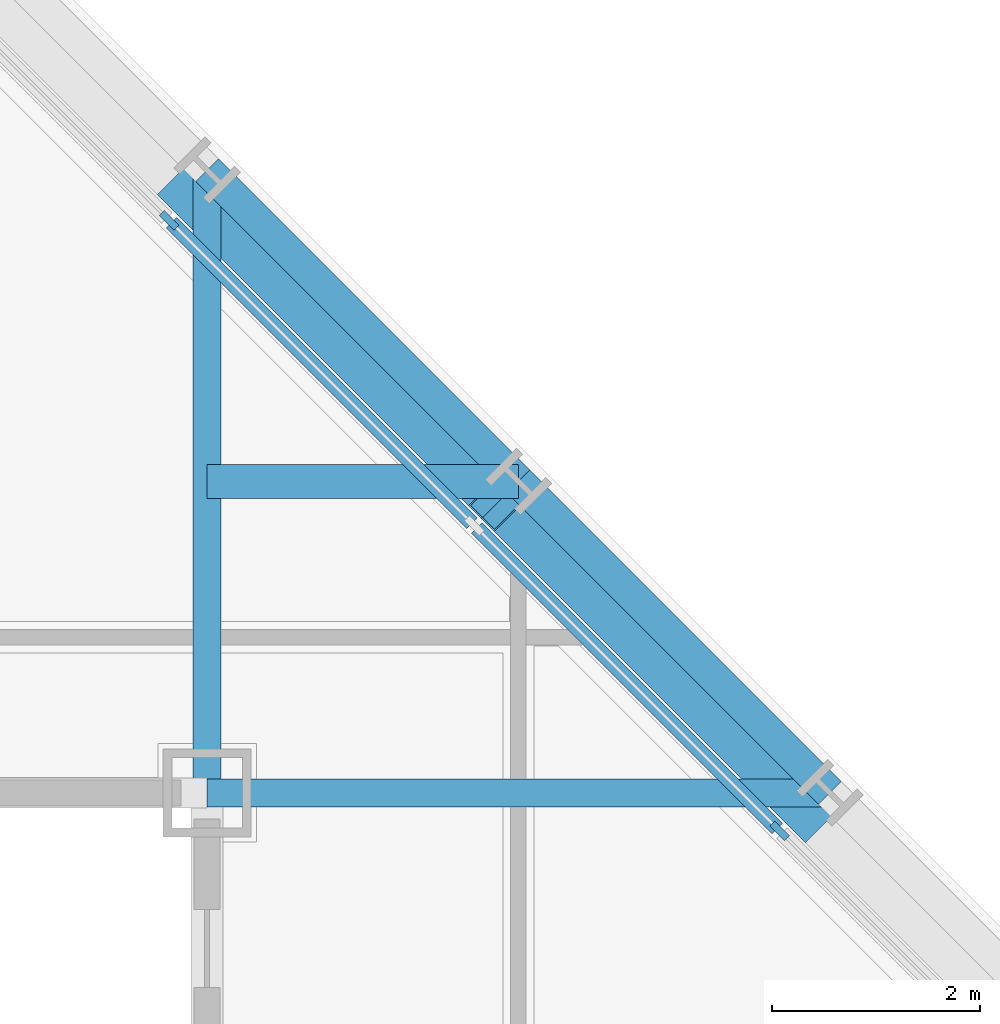
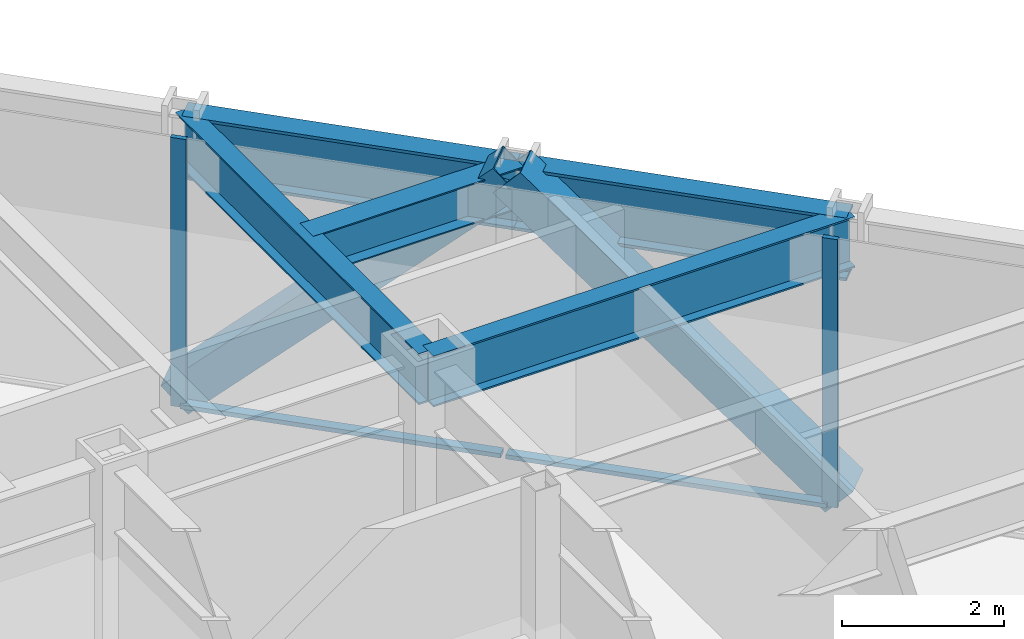
# One storey, part 8 of 16: 6 members, 5 beams, 1 element without a shape of its own.
"""IFC4 building model written with IfcOpenShell, lengths in metres."""

from ifc_helpers import new_model, si_unit, direction, frame, origin, origin_2d, place, context, subcontext, project, spatial, rectangle, hollow_rectangle, i_section, extrude, material, layer, layer_set, material_profile, profile_set, type_object, element, aggregate, save


model = new_model("IFC4")

# Units and contexts
model_context = context("Model", 3, precision=1e-05, world=origin(), true_north=direction((0.0, 1.0)))
body_context = subcontext(model_context, "Body", "Model", "MODEL_VIEW")
ifc_project = project(units=[si_unit("LENGTHUNIT", "METRE"), si_unit("AREAUNIT", "SQUARE_METRE"), si_unit("VOLUMEUNIT", "CUBIC_METRE"), si_unit("PLANEANGLEUNIT", "RADIAN"), si_unit("MASSUNIT", "GRAM", prefix="KILO")], contexts=[model_context])

# Site, building, storey
site_placement = place(None, origin())
site = spatial("IfcSite", under=ifc_project, at=site_placement, CompositionType="ELEMENT")
building_placement = place(site_placement, origin())
building = spatial("IfcBuilding", under=site, at=building_placement, Name="Chuquiago Exchange Tower", CompositionType="ELEMENT")
storey_placement = place(building_placement, frame((0.0, 0.0, 144.60009765625)))
storey = spatial("IfcBuildingStorey", under=building, at=storey_placement, Name="L31", CompositionType="ELEMENT", Elevation=144.60009765625)

# Beam
ifc_material_1 = material(Name="Steel ASTM A992", Category="steel")
ifc_material_profile_1 = material_profile(ifc_material_1, i_section(OverallWidth=0.3251953125, OverallDepth=0.612060546875, WebThickness=0.0126953125, FlangeThickness=0.01904296875, at=origin_2d()), Name="W24X104")
ifc_profile_set_1 = profile_set([ifc_material_profile_1], Name="Steel ASTM A992")
beam_type_1 = type_object("IfcBeamType", Name="B2 W24X104", PredefinedType="BEAM", material=ifc_profile_set_1)
beam_placement = place(storey_placement, frame((33.0, 36.0, 3.73388671875), z_axis=(1.0, 0.0, 0.0), x_axis=(0.0, 1.0, 0.0)))
element("IfcBeam", 1, at=beam_placement, inside=storey, type_object=beam_type_1, Name="FB-L32-corner-33_36-36_36-0", PredefinedType="BEAM", context=body_context, shape_type="SweptSolid", body=[
    extrude(i_section(OverallWidth=0.3251953125, OverallDepth=0.612060546875, WebThickness=0.0126953125, FlangeThickness=0.01904296875, at=origin_2d()), origin(), (0.0, 0.0, 1.0), 3.0),
])

# Curtain wall, members
ifc_material_2 = material(Name="Aluminium curtain wall system", Category="aluminium")
ifc_layer = layer(ifc_material_2, 0.199951171875)
ifc_layer_set = layer_set([ifc_layer], Name="CW3 facet curtain wall")
curtain_wall_type = type_object("IfcCurtainWallType", Name="CW3 facet curtain wall", PredefinedType="NOTDEFINED", material=ifc_layer_set)
curtain_wall_placement = place(storey_placement, origin())
curtain_wall = element("IfcCurtainWall", 2, at=curtain_wall_placement, inside=storey, type_object=curtain_wall_type, Name="CW3 curtain wall L31", PredefinedType="NOTDEFINED")
ifc_material_3 = material(Name="Aluminium mullion, pale anodised", Category="aluminium")
ifc_material_profile_2 = material_profile(ifc_material_3, rectangle(XDim=0.06494140625, YDim=0.199951171875, at=origin_2d()), Name="AL 65x200")
ifc_profile_set_2 = profile_set([ifc_material_profile_2], Name="Aluminium mullion, pale anodised")
member_type_1 = type_object("IfcMemberType", Name="CW3-M mullion 65x200", PredefinedType="MULLION", material=ifc_profile_set_2)
member_1_placement = place(storey_placement, frame((38.51708984375, 32.63427734375, 0.0), z_axis=(0.0, 0.0, 1.0), x_axis=(-0.707106781187, -0.707106781187, 0.0)))
member_1 = element("IfcMember", 3, at=member_1_placement, type_object=member_type_1, Name="CW3 mullion 3", PredefinedType="MULLION", context=body_context, shape_type="SweptSolid", body=[
    extrude(rectangle(XDim=0.06494140625, YDim=0.199951171875, at=origin_2d()), origin(), (0.0, 0.0, 1.0), 4.039794921875),
])
member_2_placement = place(storey_placement, frame((32.63427734375, 38.51708984375, 0.0), z_axis=(0.0, 0.0, 1.0), x_axis=(-0.707106781187, -0.707106781187, 0.0)))
member_2 = element("IfcMember", 4, at=member_2_placement, type_object=member_type_1, Name="CW3 mullion 5", PredefinedType="MULLION", context=body_context, shape_type="SweptSolid", body=[
    extrude(rectangle(XDim=0.06494140625, YDim=0.199951171875, at=origin_2d()), origin(), (0.0, 0.0, 1.0), 4.039794921875),
])
ifc_material_4 = material(Name="Aluminium transom, pale anodised", Category="aluminium")
ifc_material_profile_3 = material_profile(ifc_material_4, rectangle(XDim=0.139892578125, YDim=0.06494140625, at=origin_2d()), Name="AL 140x65")
ifc_profile_set_3 = profile_set([ifc_material_profile_3], Name="Aluminium transom, pale anodised")
member_type_2 = type_object("IfcMemberType", Name="CW3-T transom 65x140", PredefinedType="MULLION", material=ifc_profile_set_3)
member_3_placement = place(storey_placement, frame((38.494140625, 32.6572265625, 0.032470703125), z_axis=(-0.707106781187, 0.707106781187, 0.0), x_axis=(-0.707106781187, -0.707106781187, 0.0)))
member_3 = element("IfcMember", 5, at=member_3_placement, type_object=member_type_2, Name="CW3 transom 3.1", PredefinedType="MULLION", context=body_context, shape_type="SweptSolid", body=[
    extrude(rectangle(XDim=0.139892578125, YDim=0.06494140625, at=origin_2d()), origin(), (0.0, 0.0, 1.0), 4.094970703125),
])
member_4_placement = place(storey_placement, frame((35.552734375, 35.5986328125, 0.032470703125), z_axis=(-0.707106781187, 0.707106781187, 0.0), x_axis=(-0.707106781187, -0.707106781187, 0.0)))
member_4 = element("IfcMember", 6, at=member_4_placement, type_object=member_type_2, Name="CW3 transom 4.1", PredefinedType="MULLION", context=body_context, shape_type="SweptSolid", body=[
    extrude(rectangle(XDim=0.139892578125, YDim=0.06494140625, at=origin_2d()), origin(), (0.0, 0.0, 1.0), 4.094970703125),
])
aggregate(curtain_wall, [member_1, member_2, member_3, member_4])

# Beams
ifc_material_5 = material(Name="Steel ASTM A992", Category="steel")
ifc_material_profile_4 = material_profile(ifc_material_5, i_section(OverallWidth=0.2666015625, OverallDepth=0.76953125, WebThickness=0.015625, FlangeThickness=0.025390625, at=origin_2d()), Name="W30X132")
ifc_profile_set_4 = profile_set([ifc_material_profile_4], Name="Steel ASTM A992")
beam_type_2 = type_object("IfcBeamType", Name="G1 W30X132", PredefinedType="BEAM", material=ifc_profile_set_4)
for number, where, z_axis, x_axis, name in (
    (7, (33.0, 33.0, 3.655029296875), (0.0, 1.0, 0.0), (-1.0, 0.0, 0.0), "FB-L32-girder-33_33-33_39-0"),
    (8, (33.0, 33.0, 3.655029296875), (1.0, 0.0, 0.0), (0.0, 1.0, 0.0), "FB-L32-girder-33_33-39_33-0"),
):
    element("IfcBeam", number, at=place(storey_placement, frame(where, z_axis=z_axis, x_axis=x_axis)), inside=storey, type_object=beam_type_2, Name=name, PredefinedType="BEAM", context=body_context, shape_type="SweptSolid", body=[
        extrude(i_section(OverallWidth=0.2666015625, OverallDepth=0.76953125, WebThickness=0.015625, FlangeThickness=0.025390625, at=origin_2d()), origin(), (0.0, 0.0, 1.0), 6.0),
    ])

# Members
ifc_material_6 = material(Name="Steel ASTM A500 Grade C", Category="steel")
ifc_material_profile_5 = material_profile(ifc_material_6, hollow_rectangle(XDim=0.508056640625, YDim=0.508056640625, WallThickness=0.017822265625, at=origin_2d()), Name="HSS20X20X3/4")
ifc_profile_set_5 = profile_set([ifc_material_profile_5], Name="Steel ASTM A500 Grade C")
member_type_3 = type_object("IfcMemberType", Name="LB1 HSS20X20X3/4", PredefinedType="BRACE", material=ifc_profile_set_5)
for number, where, z_axis, x_axis, name in (
    (9, (38.822509765625, 32.822509765625, 0.0), (-0.51209198167, 0.51209198167, 0.689582195694), (-0.707106781187, -0.707106781187, 0.0), "LB-L31-39_33-36_36"),
    (10, (32.822509765625, 38.822509765625, 0.0), (0.51209198167, -0.51209198167, 0.689582195694), (0.707106781187, 0.707106781187, 0.0), "LB-L31-36_36-33_39"),
):
    element("IfcMember", number, at=place(storey_placement, frame(where, z_axis=z_axis, x_axis=x_axis)), inside=storey, type_object=member_type_3, Name=name, PredefinedType="BRACE", context=body_context, shape_type="SweptSolid", body=[
        extrude(hollow_rectangle(XDim=0.508056640625, YDim=0.508056640625, WallThickness=0.017822265625, at=origin_2d()), origin(), (0.0, 0.0, 1.0), 5.8583984375),
    ])

# Beams
ifc_material_7 = material(Name="Steel ASTM A992", Category="steel")
ifc_material_profile_6 = material_profile(ifc_material_7, i_section(OverallWidth=0.309814453125, OverallDepth=0.949951171875, WebThickness=0.0244140625, FlangeThickness=0.0439453125, at=origin_2d()), Name="W36X256")
ifc_profile_set_6 = profile_set([ifc_material_profile_6], Name="Steel ASTM A992")
beam_type_3 = type_object("IfcBeamType", Name="SP2 W36X256", PredefinedType="SPANDREL", material=ifc_profile_set_6)
for number, where, z_axis, x_axis, name in (
    (11, (39.0, 33.0, 3.56494140625), (-0.707106781187, 0.707106781187, 0.0), (-0.707106781187, -0.707106781187, 0.0), "SPB-L32-39_33-36_36"),
    (12, (36.0, 36.0, 3.56494140625), (-0.707106781187, 0.707106781187, 0.0), (-0.707106781187, -0.707106781187, 0.0), "SPB-L32-36_36-33_39"),
):
    element("IfcBeam", number, at=place(storey_placement, frame(where, z_axis=z_axis, x_axis=x_axis)), inside=storey, type_object=beam_type_3, Name=name, PredefinedType="SPANDREL", context=body_context, shape_type="SweptSolid", body=[
        extrude(i_section(OverallWidth=0.309814453125, OverallDepth=0.949951171875, WebThickness=0.0244140625, FlangeThickness=0.0439453125, at=origin_2d()), origin(), (0.0, 0.0, 1.0), 4.24267578125),
    ])

save(model, "model.ifc")
